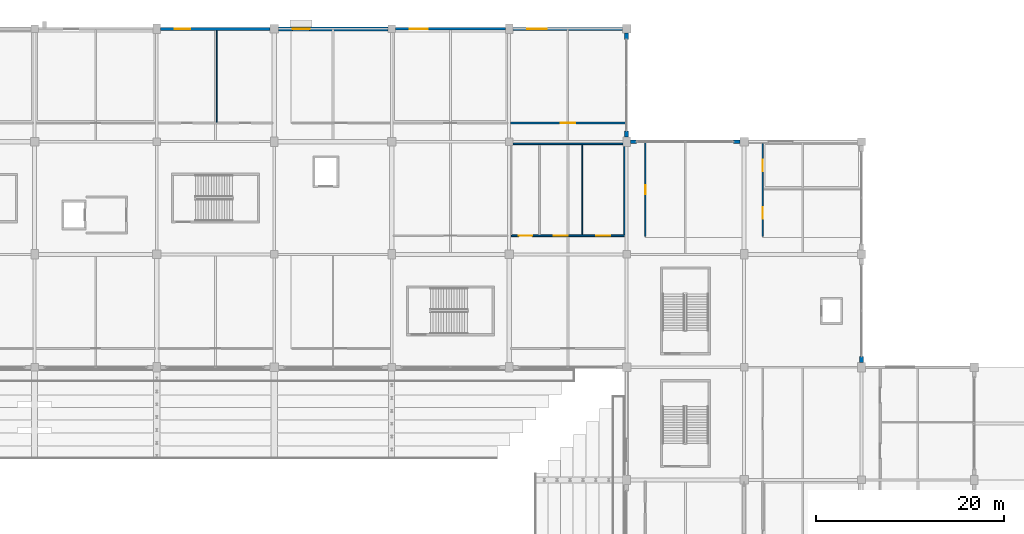
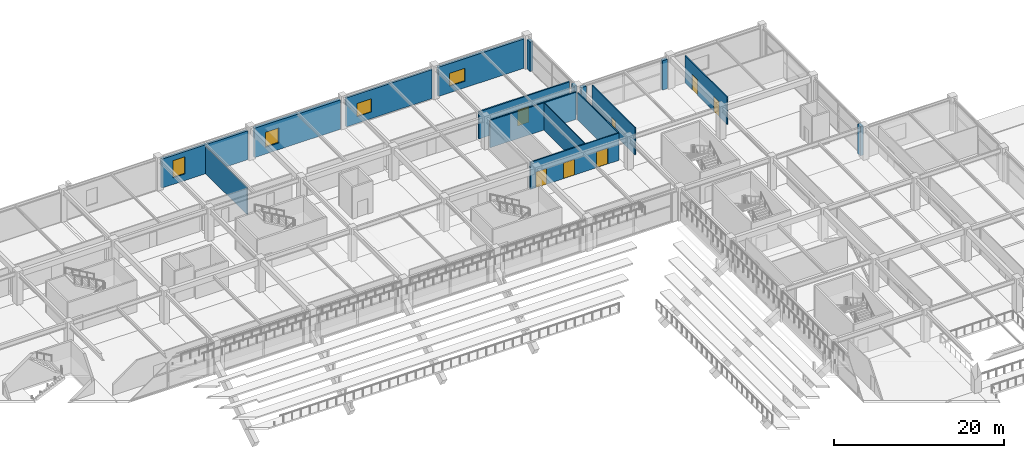
# One storey, part 92 of 134: 17 walls, 7 doors, 4 windows, 11 openings.
"""IFC4 building model written with IfcOpenShell, lengths in metres."""

import ifcopenshell
import ifcopenshell.guid

model = None  # the IFC model being written
_history = None  # IfcOwnerHistory: only IFC2X3 demands one
_inside = {}  # id of a spatial element -> (the spatial element, [elements in it])
_under = {}  # id of a project, library or spatial element -> (it, [spatial elements below it])
_declared = {}  # id of a project -> (the project, [libraries it declares])
_typed = {}  # id of a type object -> (the type object, [elements of that type])
_made_of = {}  # id of a material, layer set ... -> (it, [elements and type objects made of it])


def new_model(schema):
    """Start an empty IFC model of exactly this schema.

    Asked for "IFC4X3", IfcOpenShell would pick the latest addendum, in which some entities
    have other attributes; the version numbers below select the first issue.
    IFC2X3 requires an IfcOwnerHistory on every rooted entity: one is made here for all.
    """
    global model, _history
    if schema == "IFC4X3":
        model = ifcopenshell.file(schema_version=(4, 3, 0, 0))
    else:
        model = ifcopenshell.file(schema=schema)
    _inside.clear()
    _under.clear()
    _declared.clear()
    _typed.clear()
    _made_of.clear()
    _history = None
    if model.schema == "IFC2X3":
        org = make("IfcOrganization", Name="unknown")
        user = make(
            "IfcPersonAndOrganization",
            ThePerson=make("IfcPerson", FamilyName="unknown"),
            TheOrganization=org,
        )
        app = make(
            "IfcApplication",
            ApplicationDeveloper=org,
            Version="unknown",
            ApplicationFullName="unknown",
            ApplicationIdentifier="unknown",
        )
        _history = make(
            "IfcOwnerHistory",
            OwningUser=user,
            OwningApplication=app,
            ChangeAction="ADDED",
            CreationDate=0,
        )
    return model


def make(cls, **values):
    """One entity of the class cls with the attributes given. An attribute that is None is left unset."""
    return model.create_entity(
        cls, **{name: value for name, value in values.items() if value is not None}
    )


def rooted(cls, **values):
    """An entity with a GlobalId (a new one), such as an element, a storey or a relation."""
    return make(cls, GlobalId=ifcopenshell.guid.new(), OwnerHistory=_history, **values)


def si_unit(unit_type, name, prefix=None):
    """IfcSIUnit, for example si_unit("LENGTHUNIT", "METRE", prefix="MILLI")."""
    return make("IfcSIUnit", UnitType=unit_type, Prefix=prefix, Name=name)


def assignment(units):
    """IfcUnitAssignment: the units of a project."""
    return None if units is None else make("IfcUnitAssignment", Units=units)


def point(xyz):
    """IfcCartesianPoint."""
    return None if xyz is None else make("IfcCartesianPoint", Coordinates=xyz)


def direction(xyz):
    """IfcDirection."""
    return None if xyz is None else make("IfcDirection", DirectionRatios=xyz)


def frame(location, z_axis=None, x_axis=None):
    """IfcAxis2Placement3D, a coordinate frame: its origin and axes. An axis left out is left unset."""
    return make(
        "IfcAxis2Placement3D",
        Location=point(location),
        Axis=direction(z_axis),
        RefDirection=direction(x_axis),
    )


def frame_2d(location, x_axis=None):
    """IfcAxis2Placement2D, a coordinate frame in the plane: its origin and x axis."""
    return make(
        "IfcAxis2Placement2D", Location=point(location), RefDirection=direction(x_axis)
    )


def origin():
    """The frame at (0, 0, 0) with its axes left unset."""
    return frame((0.0, 0.0, 0.0))


def place(relative_to, where):
    """IfcLocalPlacement: puts the frame where relative to a parent placement (None: the world)."""
    return make(
        "IfcLocalPlacement", PlacementRelTo=relative_to, RelativePlacement=where
    )


def context(
    kind, dimensions, precision=None, world=None, true_north=None, identifier=None
):
    """IfcGeometricRepresentationContext, for example the 3D "Model" context."""
    return make(
        "IfcGeometricRepresentationContext",
        ContextIdentifier=identifier,
        ContextType=kind,
        CoordinateSpaceDimension=dimensions,
        Precision=precision,
        WorldCoordinateSystem=world,
        TrueNorth=true_north,
    )


def subcontext(parent, identifier, kind, view, scale=None):
    """IfcGeometricRepresentationSubContext, for example "Body" below "Model"."""
    return make(
        "IfcGeometricRepresentationSubContext",
        ContextIdentifier=identifier,
        ContextType=kind,
        ParentContext=parent,
        TargetScale=scale,
        TargetView=view,
    )


def project(units=None, contexts=None):
    """IfcProject with its units and contexts."""
    return rooted(
        "IfcProject",
        Name="project",
        RepresentationContexts=contexts,
        UnitsInContext=assignment(units),
    )


def spatial(cls, under=None, at=None, **own):
    """A site, building, storey or space (cls), placed at a placement, below another one or the project."""
    s = rooted(cls, ObjectPlacement=at, **own)
    if under is not None:
        _under.setdefault(under.id(), (under, []))[1].append(s)
    return s


def profile(cls, at=None, kind="AREA", **sizes):
    """A parametric profile (cls). Its sizes go by their IFC names, for example OverallWidth=200.0."""
    return make(cls, ProfileType=kind, Position=at, **sizes)


def rectangle(**sizes):
    """IfcRectangleProfileDef."""
    return profile("IfcRectangleProfileDef", **sizes)


def extrude(swept, where, along, depth):
    """IfcExtrudedAreaSolid: the profile swept, set in the frame where, extruded along a direction by depth."""
    return make(
        "IfcExtrudedAreaSolid",
        SweptArea=swept,
        Position=where,
        ExtrudedDirection=direction(along),
        Depth=depth,
    )


def shape(context_of_items, identifier, shape_type, items):
    """IfcShapeRepresentation: the items that make up one representation, for example the "Body"."""
    return make(
        "IfcShapeRepresentation",
        ContextOfItems=context_of_items,
        RepresentationIdentifier=identifier,
        RepresentationType=shape_type,
        Items=items,
    )


def material(Name=None, Category=None):
    """IfcMaterial."""
    return make("IfcMaterial", Name=Name, Category=Category)


def layer(
    of_material, thickness, ventilated=None, Name=None, Category=None, Priority=None
):
    """IfcMaterialLayer: one layer of a wall or slab, of a material (None: an air gap)."""
    return make(
        "IfcMaterialLayer",
        Material=of_material,
        LayerThickness=thickness,
        IsVentilated=ventilated,
        Name=Name,
        Category=Category,
        Priority=Priority,
    )


def layer_set(layers, Name=None):
    """IfcMaterialLayerSet."""
    return make("IfcMaterialLayerSet", MaterialLayers=layers, LayerSetName=Name)


def made_of(thing, what):
    """Note that an element or type object is made of a material, layer set ...; save() writes the relation."""
    if what is not None:
        _made_of.setdefault(what.id(), (what, []))[1].append(thing)
    return thing


def type_object(cls, material=None, **own):
    """A type object (cls), such as IfcWallType, which elements share."""
    return made_of(rooted(cls, **own), material)


def element(
    cls,
    number,
    at=None,
    inside=None,
    cuts=None,
    type_object=None,
    material=None,
    context=None,
    identifier="Body",
    shape_type=None,
    held_by="IfcProductDefinitionShape",
    body=None,
    shapes=None,
    **own,
):
    """One element of the class cls, such as IfcWall. Its Tag is "e" and its number.

    at: its placement. inside: the storey or other place that contains it. cuts: it is an
    opening in that element (IfcRelVoidsElement). A single representation is given by context,
    identifier, shape_type and body (its items); several are given by shapes. held_by: the class
    of the entity that holds the representations. save() writes the other relations.
    """
    e = rooted(cls, Tag="e%d" % number, ObjectPlacement=at, **own)
    if body is not None:
        shapes = [shape(context, identifier, shape_type, body)]
    if shapes is not None:
        e.Representation = make(held_by, Representations=shapes)
    if inside is not None:
        _inside.setdefault(inside.id(), (inside, []))[1].append(e)
    if cuts is not None:
        rooted(
            "IfcRelVoidsElement", RelatingBuildingElement=cuts, RelatedOpeningElement=e
        )
    if type_object is not None:
        _typed.setdefault(type_object.id(), (type_object, []))[1].append(e)
    return made_of(e, material)


def fill(opening, filler):
    """IfcRelFillsElement: the door or window that sits in an opening."""
    return rooted(
        "IfcRelFillsElement",
        RelatingOpeningElement=opening,
        RelatedBuildingElement=filler,
    )


def aggregate(whole, parts):
    """IfcRelAggregates: a whole, such as a stair, and the parts it consists of."""
    return rooted("IfcRelAggregates", RelatingObject=whole, RelatedObjects=parts)


def save(model, path):
    """Write the relations noted so far, then the file.

    IfcRelAggregates (storeys below a building ...), IfcRelContainedInSpatialStructure (elements
    in a storey), IfcRelDefinesByType, IfcRelAssociatesMaterial and IfcRelDeclares: one each for
    every whole, place, type object, material and project.
    """
    for whole, parts in _under.values():
        aggregate(whole, parts)
    for where, things in _inside.values():
        rooted(
            "IfcRelContainedInSpatialStructure",
            RelatedElements=things,
            RelatingStructure=where,
        )
    for kind, things in _typed.values():
        rooted("IfcRelDefinesByType", RelatedObjects=things, RelatingType=kind)
    for what, things in _made_of.values():
        rooted("IfcRelAssociatesMaterial", RelatedObjects=things, RelatingMaterial=what)
    for by, libraries in _declared.values():
        rooted("IfcRelDeclares", RelatingContext=by, RelatedDefinitions=libraries)
    model.write(path)


model = new_model("IFC4")

# Units and contexts
model_context = context("Model", 3, precision=1e-05, world=origin(), true_north=direction((0.0, 1.0)))
body_context = subcontext(model_context, "Body", "Model", "MODEL_VIEW")
ifc_project = project(units=[si_unit("LENGTHUNIT", "METRE"), si_unit("AREAUNIT", "SQUARE_METRE"), si_unit("VOLUMEUNIT", "CUBIC_METRE"), si_unit("PLANEANGLEUNIT", "RADIAN"), si_unit("MASSUNIT", "GRAM", prefix="KILO")], contexts=[model_context])

# Site, building, storey
site_placement = place(None, origin())
site = spatial("IfcSite", under=ifc_project, at=site_placement, CompositionType="ELEMENT")
building_placement = place(site_placement, origin())
building = spatial("IfcBuilding", under=site, at=building_placement, Name="Kazenohara Klinker Stadium", CompositionType="ELEMENT")
storey_placement = place(building_placement, frame((0.0, 0.0, 5.39990234375)))
storey = spatial("IfcBuildingStorey", under=building, at=storey_placement, Name="L01", CompositionType="ELEMENT", Elevation=5.39990234375)

# Wall, opening, window
ifc_material_1 = material(Name="Clinker brick masonry", Category="masonry")
ifc_layer_1 = layer(ifc_material_1, 0.280029296875)
ifc_layer_set_1 = layer_set([ifc_layer_1], Name="Clinker brick masonry")
wall_type_1 = type_object("IfcWallType", Name="WAL-EXT-CB280", PredefinedType="SOLIDWALL", material=ifc_layer_set_1)
wall_1_placement = place(storey_placement, frame((150.404052734375, 168.0, 0.0), z_axis=(0.0, 0.0, 1.0), x_axis=(1.0, 0.0, 0.0)))
wall_1 = element("IfcWall", 1, at=wall_1_placement, inside=storey, type_object=wall_type_1, Name="Clinker brick cavity wall EW06 L01 X12-14", PredefinedType="SOLIDWALL", context=body_context, shape_type="SweptSolid", body=[
    extrude(rectangle(XDim=11.69189453125, YDim=0.280029296875, at=frame_2d((5.845947265625, 0.0))), origin(), (0.0, 0.0, 1.0), 4.150146484375),
])
opening_1_placement = place(wall_1_placement, frame((1.5, 0.0, 0.949951171875)))
opening_1 = element("IfcOpeningElement", 2, at=opening_1_placement, cuts=wall_1, Name="Opening W16", PredefinedType="OPENING", context=body_context, shape_type="SweptSolid", body=[
    extrude(rectangle(XDim=1.949951171875, YDim=1.89990234375, at=frame_2d((0.97509765625, 0.949951171875))), frame((0.0, 0.14990234375, 0.0), z_axis=(0.0, -1.0, 0.0), x_axis=(1.0, 0.0, 0.0)), (0.0, 0.0, 1.0), 0.300048828125),
])
ifc_material_2 = material(Name="Dark bronze aluminium frame and triple glazing", Category="aluminium")
window_type_1 = type_object("IfcWindowType", Name="WIN-AS-16", PartitioningType="SINGLE_PANEL", PredefinedType="WINDOW", material=ifc_material_2)
window_1_placement = place(opening_1_placement, origin())
window_1 = element("IfcWindow", 3, at=window_1_placement, inside=storey, type_object=window_type_1, Name="Horizontal-mullion ladder window W16 L01 X12-14", OverallHeight=1.89990234375, OverallWidth=1.949951171875, PartitioningType="SINGLE_PANEL", PredefinedType="WINDOW", context=body_context, shape_type="SweptSolid", body=[
    extrude(rectangle(XDim=1.949951171875, YDim=1.89990234375, at=frame_2d((0.97509765625, 0.949951171875))), frame((0.0, 0.030029296875, 0.0), z_axis=(0.0, -1.0, 0.0), x_axis=(1.0, 0.0, 0.0)), (0.0, 0.0, 1.0), 0.06005859375),
])
fill(opening_1, window_1)

ifc_layer_2 = layer(ifc_material_1, 0.340087890625)
ifc_layer_set_2 = layer_set([ifc_layer_2], Name="Clinker brick masonry")
wall_type_2 = type_object("IfcWallType", Name="WAL-EXT-CB340", PredefinedType="SOLIDWALL", material=ifc_layer_set_2)
wall_2_placement = place(storey_placement, frame((125.404052734375, 168.0, 0.0), z_axis=(0.0, 0.0, 1.0), x_axis=(1.0, 0.0, 0.0)))
wall_2 = element("IfcWall", 4, at=wall_2_placement, inside=storey, type_object=wall_type_2, Name="Clinker brick cavity wall EW04 L01 X10-14", PredefinedType="SOLIDWALL", context=body_context, shape_type="SweptSolid", body=[
    extrude(rectangle(XDim=11.641845703125, YDim=0.340087890625, at=frame_2d((5.82080078125, 0.0))), origin(), (0.0, 0.0, 1.0), 4.150146484375),
])
opening_2_placement = place(wall_2_placement, frame((1.5, 0.0, 0.949951171875)))
opening_2 = element("IfcOpeningElement", 5, at=opening_2_placement, cuts=wall_2, Name="Opening W12", PredefinedType="OPENING", context=body_context, shape_type="SweptSolid", body=[
    extrude(rectangle(XDim=1.64990234375, YDim=2.449951171875, at=frame_2d((0.824951171875, 1.22509765625))), frame((0.0, 0.18017578125, 0.0), z_axis=(0.0, -1.0, 0.0), x_axis=(1.0, 0.0, 0.0)), (0.0, 0.0, 1.0), 0.360107421875),
])
window_type_2 = type_object("IfcWindowType", Name="WIN-AS-12", PartitioningType="SINGLE_PANEL", PredefinedType="WINDOW", material=ifc_material_2)
window_2_placement = place(opening_2_placement, origin())
window_2 = element("IfcWindow", 6, at=window_2_placement, inside=storey, type_object=window_type_2, Name="Horizontal-mullion ladder window W12 L01 X10-14", OverallHeight=2.449951171875, OverallWidth=1.64990234375, PartitioningType="SINGLE_PANEL", PredefinedType="WINDOW", context=body_context, shape_type="SweptSolid", body=[
    extrude(rectangle(XDim=1.64990234375, YDim=2.449951171875, at=frame_2d((0.824951171875, 1.22509765625))), frame((0.0, 0.030029296875, 0.0), z_axis=(0.0, -1.0, 0.0), x_axis=(1.0, 0.0, 0.0)), (0.0, 0.0, 1.0), 0.06005859375),
])
fill(opening_2, window_2)

wall_3_placement = place(storey_placement, frame((162.904052734375, 168.0, 0.0), z_axis=(0.0, 0.0, 1.0), x_axis=(1.0, 0.0, 0.0)))
wall_3 = element("IfcWall", 7, at=wall_3_placement, inside=storey, type_object=wall_type_2, Name="Clinker brick cavity wall EW04 L01 X13-14", PredefinedType="SOLIDWALL", context=body_context, shape_type="SweptSolid", body=[
    extrude(rectangle(XDim=11.641845703125, YDim=0.340087890625, at=frame_2d((5.82080078125, 0.0))), origin(), (0.0, 0.0, 1.0), 4.2001953125),
])
opening_3_placement = place(wall_3_placement, frame((1.5, 0.0, 0.949951171875)))
opening_3 = element("IfcOpeningElement", 8, at=opening_3_placement, cuts=wall_3, Name="Opening W18", PredefinedType="OPENING", context=body_context, shape_type="SweptSolid", body=[
    extrude(rectangle(XDim=2.10009765625, YDim=1.85009765625, at=frame_2d((1.050048828125, 0.925048828125))), frame((0.0, 0.18017578125, 0.0), z_axis=(0.0, -1.0, 0.0), x_axis=(1.0, 0.0, 0.0)), (0.0, 0.0, 1.0), 0.360107421875),
])
window_type_3 = type_object("IfcWindowType", Name="WIN-AS-18", PartitioningType="SINGLE_PANEL", PredefinedType="WINDOW", material=ifc_material_2)
window_3_placement = place(opening_3_placement, origin())
window_3 = element("IfcWindow", 9, at=window_3_placement, inside=storey, type_object=window_type_3, Name="Horizontal-mullion ladder window W18 L01 X13-14", OverallHeight=1.85009765625, OverallWidth=2.10009765625, PartitioningType="SINGLE_PANEL", PredefinedType="WINDOW", context=body_context, shape_type="SweptSolid", body=[
    extrude(rectangle(XDim=2.10009765625, YDim=1.85009765625, at=frame_2d((1.050048828125, 0.925048828125))), frame((0.0, 0.030029296875, 0.0), z_axis=(0.0, -1.0, 0.0), x_axis=(1.0, 0.0, 0.0)), (0.0, 0.0, 1.0), 0.06005859375),
])
fill(opening_3, window_3)

ifc_layer_3 = layer(ifc_material_1, 0.409912109375)
ifc_layer_set_3 = layer_set([ifc_layer_3], Name="Clinker brick masonry")
wall_type_3 = type_object("IfcWallType", Name="WAL-EXT-CB410", PredefinedType="SOLIDWALL", material=ifc_layer_set_3)
wall_4_placement = place(storey_placement, frame((137.9541015625, 168.0, 0.0), z_axis=(0.0, 0.0, 1.0), x_axis=(1.0, 0.0, 0.0)))
wall_4 = element("IfcWall", 10, at=wall_4_placement, inside=storey, type_object=wall_type_3, Name="Clinker brick cavity wall EW02 L01 X11-14", PredefinedType="SOLIDWALL", context=body_context, shape_type="SweptSolid", body=[
    extrude(rectangle(XDim=11.641845703125, YDim=0.409912109375, at=frame_2d((5.82080078125, 0.0))), origin(), (0.0, 0.0, 1.0), 4.2001953125),
])
opening_4_placement = place(wall_4_placement, frame((1.5, 0.0, 0.949951171875)))
opening_4 = element("IfcOpeningElement", 11, at=opening_4_placement, cuts=wall_4, Name="Opening W14", PredefinedType="OPENING", context=body_context, shape_type="SweptSolid", body=[
    extrude(rectangle(XDim=1.800048828125, YDim=2.14990234375, at=frame_2d((0.89990234375, 1.074951171875))), frame((0.0, 0.21484375, 0.0), z_axis=(0.0, -1.0, 0.0), x_axis=(1.0, 0.0, 0.0)), (0.0, 0.0, 1.0), 0.429931640625),
])
window_type_4 = type_object("IfcWindowType", Name="WIN-AS-14", PartitioningType="SINGLE_PANEL", PredefinedType="WINDOW", material=ifc_material_2)
window_4_placement = place(opening_4_placement, origin())
window_4 = element("IfcWindow", 12, at=window_4_placement, inside=storey, type_object=window_type_4, Name="Horizontal-mullion ladder window W14 L01 X11-14", OverallHeight=2.14990234375, OverallWidth=1.800048828125, PartitioningType="SINGLE_PANEL", PredefinedType="WINDOW", context=body_context, shape_type="SweptSolid", body=[
    extrude(rectangle(XDim=1.800048828125, YDim=2.14990234375, at=frame_2d((0.89990234375, 1.074951171875))), frame((0.0, 0.030029296875, 0.0), z_axis=(0.0, -1.0, 0.0), x_axis=(1.0, 0.0, 0.0)), (0.0, 0.0, 1.0), 0.06005859375),
])
fill(opening_4, window_4)

# Walls
wall_5_placement = place(storey_placement, frame((175.0, 156.50390625, 0.0), z_axis=(0.0, 0.0, 1.0), x_axis=(0.0, 1.0, 0.0)))
element("IfcWall", 13, at=wall_5_placement, inside=storey, type_object=wall_type_3, Name="Clinker brick curtain-wall jamb pier L01 Y14-13 A", PredefinedType="SOLIDWALL", context=body_context, shape_type="SweptSolid", body=[
    extrude(rectangle(XDim=0.650146484375, YDim=0.409912109375, at=frame_2d((0.3251953125, 0.0))), origin(), (0.0, 0.0, 1.0), 4.2001953125),
])
for number, where, z_axis, x_axis, name in (
    (14, (175.0, 166.89599609375, 0.0), (0.0, 0.0, 1.0), (0.0, 1.0, 0.0), "Clinker brick curtain-wall jamb pier L01 Y14-13 B"),
    (15, (175.404052734375, 156.0, 0.0), (0.0, 0.0, 1.0), (1.0, 0.0, 0.0), "Clinker brick curtain-wall jamb pier L01 X14-13 A"),
    (16, (186.39599609375, 156.0, 0.0), (0.0, 0.0, 1.0), (1.0, 0.0, 0.0), "Clinker brick curtain-wall jamb pier L01 X14-13 B"),
):
    element("IfcWall", number, at=place(storey_placement, frame(where, z_axis=z_axis, x_axis=x_axis)), inside=storey, type_object=wall_type_3, Name=name, PredefinedType="SOLIDWALL", context=body_context, shape_type="SweptSolid", body=[
        extrude(rectangle(XDim=0.64990234375, YDim=0.409912109375, at=frame_2d((0.324951171875, 0.0))), origin(), (0.0, 0.0, 1.0), 4.2001953125),
    ])
wall_6_placement = place(storey_placement, frame((200.0, 132.50390625, 0.0), z_axis=(0.0, 0.0, 1.0), x_axis=(0.0, 1.0, 0.0)))
element("IfcWall", 17, at=wall_6_placement, inside=storey, type_object=wall_type_3, Name="Clinker brick curtain-wall jamb pier L01 Y16-11 A", PredefinedType="SOLIDWALL", context=body_context, shape_type="SweptSolid", body=[
    extrude(rectangle(XDim=0.650146484375, YDim=0.409912109375, at=frame_2d((0.3251953125, 0.0))), origin(), (0.0, 0.0, 1.0), 4.2001953125),
])
ifc_material_3 = material(Name="Fire-rated gypsum board on acoustic studs", Category="gypsum")
ifc_layer_4 = layer(ifc_material_3, 0.110107421875)
ifc_layer_set_4 = layer_set([ifc_layer_4], Name="Fire-rated gypsum board on acoustic studs")
wall_type_4 = type_object("IfcWallType", Name="WAL-INT-P110", PredefinedType="PARTITIONING", material=ifc_layer_set_4)
wall_7_placement = place(storey_placement, frame((131.371826171875, 158.090087890625, 0.0), z_axis=(0.0, 0.0, 1.0), x_axis=(0.0, 1.0, 0.0)))
element("IfcWall", 18, at=wall_7_placement, inside=storey, type_object=wall_type_4, Name="Interior partition wall PT01 SPC-L01-10-13-1-2", PredefinedType="PARTITIONING", context=body_context, shape_type="SweptSolid", body=[
    extrude(rectangle(XDim=9.73779296875, YDim=0.110107421875, at=frame_2d((4.868896484375, 0.0))), origin(), (0.0, 0.0, 1.0), 3.920166015625),
])
wall_8_placement = place(storey_placement, frame((170.272216796875, 146.080078125, 0.0), z_axis=(0.0, 0.0, 1.0), x_axis=(0.0, 1.0, 0.0)))
element("IfcWall", 19, at=wall_8_placement, inside=storey, type_object=wall_type_4, Name="Interior partition wall PT01 SPC-L01-13-12-1-6", PredefinedType="PARTITIONING", context=body_context, shape_type="SweptSolid", body=[
    extrude(rectangle(XDim=9.599853515625, YDim=0.110107421875, at=frame_2d((4.7998046875, 0.0))), origin(), (0.0, 0.0, 1.0), 3.920166015625),
])
ifc_layer_5 = layer(ifc_material_3, 0.139892578125)
ifc_layer_set_5 = layer_set([ifc_layer_5], Name="Fire-rated gypsum board on acoustic studs")
wall_type_5 = type_object("IfcWallType", Name="WAL-INT-P140", PredefinedType="PARTITIONING", material=ifc_layer_set_5)
wall_9_placement = place(storey_placement, frame((174.760009765625, 146.080078125, 0.0), z_axis=(0.0, 0.0, 1.0), x_axis=(0.0, 1.0, 0.0)))
element("IfcWall", 20, at=wall_9_placement, inside=storey, type_object=wall_type_5, Name="Interior partition wall PT03 SPC-L01-13-12-1-2", PredefinedType="PARTITIONING", context=body_context, shape_type="SweptSolid", body=[
    extrude(rectangle(XDim=9.416015625, YDim=0.139892578125, at=frame_2d((4.7080078125, 0.0))), origin(), (0.0, 0.0, 1.0), 3.920166015625),
])
ifc_layer_6 = layer(ifc_material_3, 0.14990234375)
ifc_layer_set_6 = layer_set([ifc_layer_6], Name="Fire-rated gypsum board on acoustic studs")
wall_type_6 = type_object("IfcWallType", Name="WAL-INT-P150", PredefinedType="PARTITIONING", material=ifc_layer_set_6)
wall_10_placement = place(storey_placement, frame((162.904052734375, 155.760009765625, 0.0), z_axis=(0.0, 0.0, 1.0), x_axis=(1.0, 0.0, 0.0)))
element("IfcWall", 21, at=wall_10_placement, inside=storey, type_object=wall_type_6, Name="Interior partition wall PT04 SPC-L01-13-12-1-3", PredefinedType="PARTITIONING", context=body_context, shape_type="SweptSolid", body=[
    extrude(rectangle(XDim=11.69189453125, YDim=0.14990234375, at=frame_2d((5.845947265625, 0.0))), origin(), (0.0, 0.0, 1.0), 3.920166015625),
])

# Wall, opening, door
wall_11_placement = place(storey_placement, frame((176.989990234375, 145.919921875, 0.0), z_axis=(0.0, 0.0, 1.0), x_axis=(0.0, 1.0, 0.0)))
wall_11 = element("IfcWall", 22, at=wall_11_placement, inside=storey, type_object=wall_type_6, Name="Interior partition wall PT04 SPC-L01-14-12-1-1", PredefinedType="PARTITIONING", context=body_context, shape_type="SweptSolid", body=[
    extrude(rectangle(XDim=10.05615234375, YDim=0.14990234375, at=frame_2d((5.028076171875, 0.0))), origin(), (0.0, 0.0, 1.0), 3.920166015625),
])
opening_5_placement = place(wall_11_placement, frame((5.449951171875, 0.0, 0.0), z_axis=(0.0, 0.0, 1.0), x_axis=(-1.0, 0.0, 0.0)))
opening_5 = element("IfcOpeningElement", 23, at=opening_5_placement, cuts=wall_11, Name="Opening ID04", PredefinedType="OPENING", context=body_context, shape_type="SweptSolid", body=[
    extrude(rectangle(XDim=0.97998046875, YDim=2.10009765625, at=frame_2d((0.489990234375, 1.050048828125))), frame((0.0, 0.0849609375, 0.0), z_axis=(0.0, -1.0, 0.0), x_axis=(1.0, 0.0, 0.0)), (0.0, 0.0, 1.0), 0.169921875),
])
ifc_material_4 = material(Name="Solid-core Hokkaido oak fire door", Category="wood")
door_type_1 = type_object("IfcDoorType", Name="DR-INT-04", OperationType="NOTDEFINED", PredefinedType="DOOR", material=ifc_material_4)
door_1_placement = place(opening_5_placement, origin())
door_1 = element("IfcDoor", 24, at=door_1_placement, inside=storey, type_object=door_type_1, Name="Interior door ID04 Family Sensory Hospitality Lounge L01-1412A", OperationType="SINGLE_SWING_LEFT", OverallHeight=2.10009765625, OverallWidth=0.97998046875, PredefinedType="DOOR", context=body_context, shape_type="SweptSolid", body=[
    extrude(rectangle(XDim=0.97998046875, YDim=2.10009765625, at=frame_2d((0.489990234375, 1.050048828125))), frame((0.0, 0.02490234375, 0.0), z_axis=(0.0, -1.0, 0.0), x_axis=(1.0, 0.0, 0.0)), (0.0, 0.0, 1.0), 0.050048828125),
])
fill(opening_5, door_1)

# Wall, openings, doors
wall_12_placement = place(storey_placement, frame((189.489990234375, 145.919921875, 0.0), z_axis=(0.0, 0.0, 1.0), x_axis=(0.0, 1.0, 0.0)))
wall_12 = element("IfcWall", 25, at=wall_12_placement, inside=storey, type_object=wall_type_6, Name="Interior partition wall PT04 SPC-L01-15-12-1-1", PredefinedType="PARTITIONING", context=body_context, shape_type="SweptSolid", body=[
    extrude(rectangle(XDim=9.873046875, YDim=0.14990234375, at=frame_2d((4.9365234375, 0.0))), origin(), (0.0, 0.0, 1.0), 3.920166015625),
])
opening_6_placement = place(wall_12_placement, frame((3.094482421875, 0.0, 0.0), z_axis=(0.0, 0.0, 1.0), x_axis=(-1.0, 0.0, 0.0)))
opening_6 = element("IfcOpeningElement", 26, at=opening_6_placement, cuts=wall_12, Name="Opening ID12", PredefinedType="OPENING", context=body_context, shape_type="SweptSolid", body=[
    extrude(rectangle(XDim=1.2099609375, YDim=2.179931640625, at=frame_2d((0.60498046875, 1.08984375))), frame((0.0, 0.0849609375, 0.0), z_axis=(0.0, -1.0, 0.0), x_axis=(1.0, 0.0, 0.0)), (0.0, 0.0, 1.0), 0.169921875),
])
opening_7_placement = place(wall_12_placement, frame((8.149658203125, 0.0, 0.0), z_axis=(0.0, 0.0, 1.0), x_axis=(-1.0, 0.0, 0.0)))
opening_7 = element("IfcOpeningElement", 27, at=opening_7_placement, cuts=wall_12, Name="Opening ID13", PredefinedType="OPENING", context=body_context, shape_type="SweptSolid", body=[
    extrude(rectangle(XDim=1.239990234375, YDim=2.219970703125, at=frame_2d((0.6201171875, 1.10986328125))), frame((0.0, 0.0849609375, 0.0), z_axis=(0.0, -1.0, 0.0), x_axis=(1.0, 0.0, 0.0)), (0.0, 0.0, 1.0), 0.169921875),
])
door_type_2 = type_object("IfcDoorType", Name="DR-INT-12", OperationType="NOTDEFINED", PredefinedType="DOOR", material=ifc_material_4)
door_2_placement = place(opening_6_placement, origin())
door_2 = element("IfcDoor", 28, at=door_2_placement, inside=storey, type_object=door_type_2, Name="Interior door ID12 Supporter Scarf and Jersey Retail Shop L01-1512A", OperationType="SINGLE_SWING_LEFT", OverallHeight=2.179931640625, OverallWidth=1.2099609375, PredefinedType="DOOR", context=body_context, shape_type="SweptSolid", body=[
    extrude(rectangle(XDim=1.2099609375, YDim=2.179931640625, at=frame_2d((0.60498046875, 1.08984375))), frame((0.0, 0.02490234375, 0.0), z_axis=(0.0, -1.0, 0.0), x_axis=(1.0, 0.0, 0.0)), (0.0, 0.0, 1.0), 0.050048828125),
])
fill(opening_6, door_2)
door_type_3 = type_object("IfcDoorType", Name="DR-INT-13", OperationType="NOTDEFINED", PredefinedType="DOOR", material=ifc_material_4)
door_3_placement = place(opening_7_placement, origin())
door_3 = element("IfcDoor", 29, at=door_3_placement, inside=storey, type_object=door_type_3, Name="Interior door ID13 Family Sensory Hospitality Lounge L01-1512B", OperationType="SINGLE_SWING_RIGHT", OverallHeight=2.219970703125, OverallWidth=1.239990234375, PredefinedType="DOOR", context=body_context, shape_type="SweptSolid", body=[
    extrude(rectangle(XDim=1.239990234375, YDim=2.219970703125, at=frame_2d((0.6201171875, 1.10986328125))), frame((0.0, 0.02490234375, 0.0), z_axis=(0.0, -1.0, 0.0), x_axis=(1.0, 0.0, 0.0)), (0.0, 0.0, 1.0), 0.050048828125),
])
fill(opening_7, door_3)

ifc_layer_7 = layer(ifc_material_3, 0.169921875)
ifc_layer_set_7 = layer_set([ifc_layer_7], Name="Fire-rated gypsum board on acoustic studs")
wall_type_7 = type_object("IfcWallType", Name="WAL-INT-P170", PredefinedType="PARTITIONING", material=ifc_layer_set_7)
wall_13_placement = place(storey_placement, frame((162.739990234375, 145.989990234375, 0.0), z_axis=(0.0, 0.0, 1.0), x_axis=(1.0, 0.0, 0.0)))
wall_13 = element("IfcWall", 30, at=wall_13_placement, inside=storey, type_object=wall_type_7, Name="Interior partition wall PT05 SPC-L01-13-12-1-4", PredefinedType="PARTITIONING", context=body_context, shape_type="SweptSolid", body=[
    extrude(rectangle(XDim=12.02001953125, YDim=0.169921875, at=frame_2d((6.010009765625, 0.0))), origin(), (0.0, 0.0, 1.0), 3.920166015625),
])
opening_8_placement = place(wall_13_placement, frame((0.781982421875, 0.0, 0.0)))
opening_8 = element("IfcOpeningElement", 31, at=opening_8_placement, cuts=wall_13, Name="Opening ID19", PredefinedType="OPENING", context=body_context, shape_type="SweptSolid", body=[
    extrude(rectangle(XDim=1.43994140625, YDim=2.260009765625, at=frame_2d((0.719970703125, 1.1298828125))), frame((0.0, 0.094970703125, 0.0), z_axis=(0.0, -1.0, 0.0), x_axis=(1.0, 0.0, 0.0)), (0.0, 0.0, 1.0), 0.18994140625),
])
opening_9_placement = place(wall_13_placement, frame((4.51806640625, 0.0, 0.0)))
opening_9 = element("IfcOpeningElement", 32, at=opening_9_placement, cuts=wall_13, Name="Opening ID20", PredefinedType="OPENING", context=body_context, shape_type="SweptSolid", body=[
    extrude(rectangle(XDim=1.47998046875, YDim=2.239990234375, at=frame_2d((0.739990234375, 1.1201171875))), frame((0.0, 0.094970703125, 0.0), z_axis=(0.0, -1.0, 0.0), x_axis=(1.0, 0.0, 0.0)), (0.0, 0.0, 1.0), 0.18994140625),
])
opening_10_placement = place(wall_13_placement, frame((9.006103515625, 0.0, 0.0)))
opening_10 = element("IfcOpeningElement", 33, at=opening_10_placement, cuts=wall_13, Name="Opening ID21", PredefinedType="OPENING", context=body_context, shape_type="SweptSolid", body=[
    extrude(rectangle(XDim=1.52001953125, YDim=2.280029296875, at=frame_2d((0.760009765625, 1.14013671875))), frame((0.0, 0.094970703125, 0.0), z_axis=(0.0, -1.0, 0.0), x_axis=(1.0, 0.0, 0.0)), (0.0, 0.0, 1.0), 0.18994140625),
])
ifc_material_5 = material(Name="Painted steel plant fire door", Category="steel")
door_type_4 = type_object("IfcDoorType", Name="DR-INT-19", OperationType="NOTDEFINED", PredefinedType="DOOR", material=ifc_material_5)
door_4_placement = place(opening_8_placement, origin())
door_4 = element("IfcDoor", 34, at=door_4_placement, inside=storey, type_object=door_type_4, Name="Interior door ID19 Accessible Water Closet Restroom L01-1312A", OperationType="SINGLE_SWING_RIGHT", OverallHeight=2.260009765625, OverallWidth=1.43994140625, PredefinedType="DOOR", context=body_context, shape_type="SweptSolid", body=[
    extrude(rectangle(XDim=1.43994140625, YDim=2.260009765625, at=frame_2d((0.719970703125, 1.1298828125))), frame((0.0, 0.02490234375, 0.0), z_axis=(0.0, -1.0, 0.0), x_axis=(1.0, 0.0, 0.0)), (0.0, 0.0, 1.0), 0.050048828125),
])
fill(opening_8, door_4)
door_type_5 = type_object("IfcDoorType", Name="DR-INT-20", OperationType="NOTDEFINED", PredefinedType="DOOR", material=ifc_material_5)
door_5_placement = place(opening_9_placement, origin())
door_5 = element("IfcDoor", 35, at=door_5_placement, inside=storey, type_object=door_type_5, Name="Interior door ID20 Water Closet Restroom Male L01-1312B", OperationType="SINGLE_SWING_LEFT", OverallHeight=2.239990234375, OverallWidth=1.47998046875, PredefinedType="DOOR", context=body_context, shape_type="SweptSolid", body=[
    extrude(rectangle(XDim=1.47998046875, YDim=2.239990234375, at=frame_2d((0.739990234375, 1.1201171875))), frame((0.0, 0.02490234375, 0.0), z_axis=(0.0, -1.0, 0.0), x_axis=(1.0, 0.0, 0.0)), (0.0, 0.0, 1.0), 0.050048828125),
])
fill(opening_9, door_5)
door_type_6 = type_object("IfcDoorType", Name="DR-INT-21", OperationType="NOTDEFINED", PredefinedType="DOOR", material=ifc_material_5)
door_6_placement = place(opening_10_placement, origin())
door_6 = element("IfcDoor", 36, at=door_6_placement, inside=storey, type_object=door_type_6, Name="Interior door ID21 Water Closet Restroom Female L01-1312C", OperationType="SINGLE_SWING_RIGHT", OverallHeight=2.280029296875, OverallWidth=1.52001953125, PredefinedType="DOOR", context=body_context, shape_type="SweptSolid", body=[
    extrude(rectangle(XDim=1.52001953125, YDim=2.280029296875, at=frame_2d((0.760009765625, 1.14013671875))), frame((0.0, 0.02490234375, 0.0), z_axis=(0.0, -1.0, 0.0), x_axis=(1.0, 0.0, 0.0)), (0.0, 0.0, 1.0), 0.050048828125),
])
fill(opening_10, door_6)

# Wall, opening, door
ifc_layer_8 = layer(ifc_material_3, 0.18994140625)
ifc_layer_set_8 = layer_set([ifc_layer_8], Name="Fire-rated gypsum board on acoustic studs")
wall_type_8 = type_object("IfcWallType", Name="WAL-INT-P190", PredefinedType="PARTITIONING", material=ifc_layer_set_8)
wall_14_placement = place(storey_placement, frame((162.659912109375, 157.989990234375, 0.0), z_axis=(0.0, 0.0, 1.0), x_axis=(1.0, 0.0, 0.0)))
wall_14 = element("IfcWall", 37, at=wall_14_placement, inside=storey, type_object=wall_type_8, Name="Interior partition wall PT06 SPC-L01-13-13-1-1", PredefinedType="PARTITIONING", context=body_context, shape_type="SweptSolid", body=[
    extrude(rectangle(XDim=12.316162109375, YDim=0.18994140625, at=frame_2d((6.158203125, 0.0))), origin(), (0.0, 0.0, 1.0), 3.920166015625),
])
opening_11_placement = place(wall_14_placement, frame((5.31005859375, 0.0, 0.0)))
opening_11 = element("IfcOpeningElement", 38, at=opening_11_placement, cuts=wall_14, Name="Opening ID22", PredefinedType="OPENING", context=body_context, shape_type="SweptSolid", body=[
    extrude(rectangle(XDim=1.56005859375, YDim=2.260009765625, at=frame_2d((0.780029296875, 1.1298828125))), frame((0.0, 0.10498046875, 0.0), z_axis=(0.0, -1.0, 0.0), x_axis=(1.0, 0.0, 0.0)), (0.0, 0.0, 1.0), 0.2099609375),
])
door_type_7 = type_object("IfcDoorType", Name="DR-INT-22", OperationType="NOTDEFINED", PredefinedType="DOOR", material=ifc_material_5)
door_7_placement = place(opening_11_placement, origin())
door_7 = element("IfcDoor", 39, at=door_7_placement, inside=storey, type_object=door_type_7, Name="Interior door ID22 Supporter Scarf and Jersey Retail Shop L01-1313A", OperationType="SINGLE_SWING_LEFT", OverallHeight=2.260009765625, OverallWidth=1.56005859375, PredefinedType="DOOR", context=body_context, shape_type="SweptSolid", body=[
    extrude(rectangle(XDim=1.56005859375, YDim=2.260009765625, at=frame_2d((0.780029296875, 1.1298828125))), frame((0.0, 0.02490234375, 0.0), z_axis=(0.0, -1.0, 0.0), x_axis=(1.0, 0.0, 0.0)), (0.0, 0.0, 1.0), 0.050048828125),
])
fill(opening_11, door_7)

save(model, "model.ifc")
